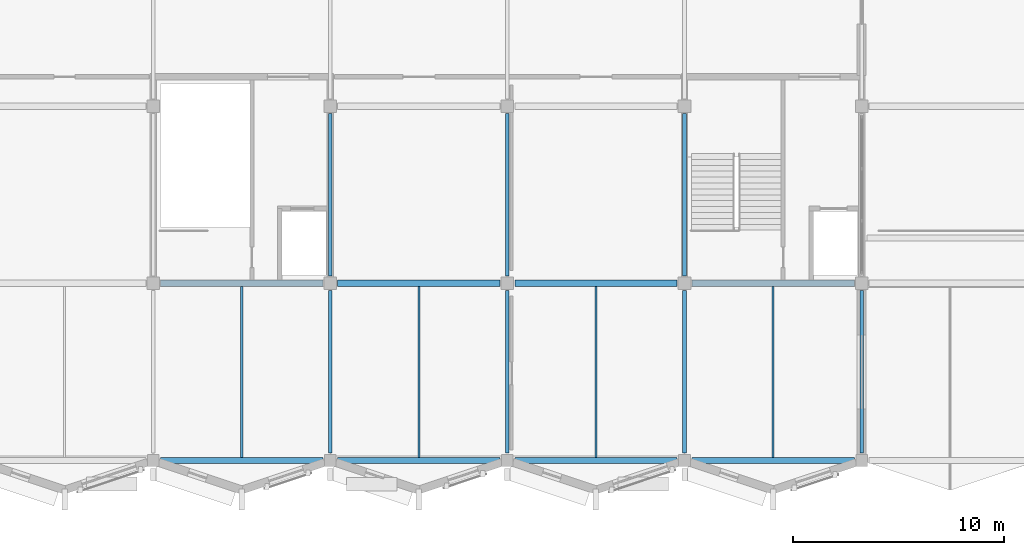
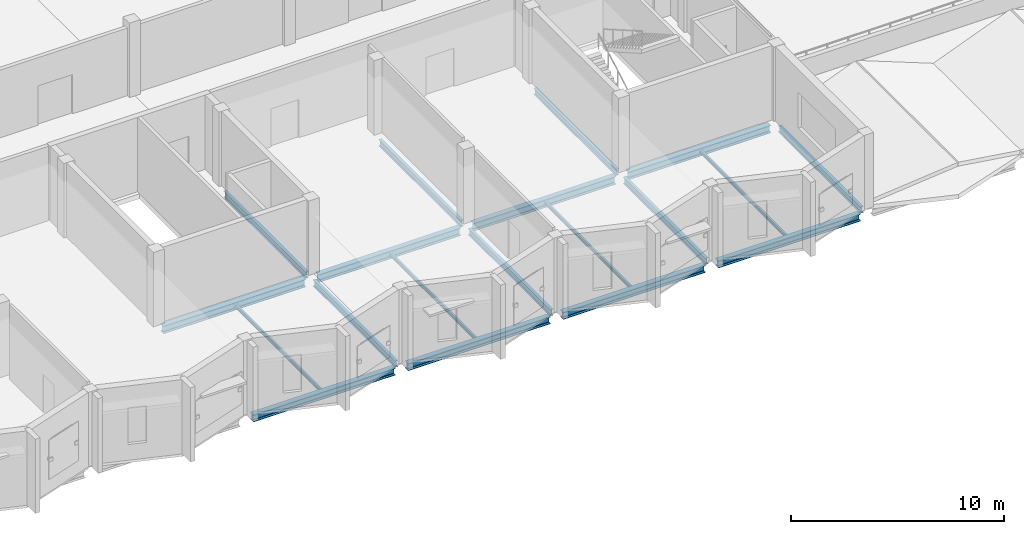
# One storey, part 18 of 81: 19 beams.
"""IFC4 building model written with IfcOpenShell, lengths in metres."""

import ifcopenshell
import ifcopenshell.guid

model = None  # the IFC model being written
_history = None  # IfcOwnerHistory: only IFC2X3 demands one
_inside = {}  # id of a spatial element -> (the spatial element, [elements in it])
_under = {}  # id of a project, library or spatial element -> (it, [spatial elements below it])
_declared = {}  # id of a project -> (the project, [libraries it declares])
_typed = {}  # id of a type object -> (the type object, [elements of that type])
_made_of = {}  # id of a material, layer set ... -> (it, [elements and type objects made of it])


def new_model(schema):
    """Start an empty IFC model of exactly this schema.

    Asked for "IFC4X3", IfcOpenShell would pick the latest addendum, in which some entities
    have other attributes; the version numbers below select the first issue.
    IFC2X3 requires an IfcOwnerHistory on every rooted entity: one is made here for all.
    """
    global model, _history
    if schema == "IFC4X3":
        model = ifcopenshell.file(schema_version=(4, 3, 0, 0))
    else:
        model = ifcopenshell.file(schema=schema)
    _inside.clear()
    _under.clear()
    _declared.clear()
    _typed.clear()
    _made_of.clear()
    _history = None
    if model.schema == "IFC2X3":
        org = make("IfcOrganization", Name="unknown")
        user = make(
            "IfcPersonAndOrganization",
            ThePerson=make("IfcPerson", FamilyName="unknown"),
            TheOrganization=org,
        )
        app = make(
            "IfcApplication",
            ApplicationDeveloper=org,
            Version="unknown",
            ApplicationFullName="unknown",
            ApplicationIdentifier="unknown",
        )
        _history = make(
            "IfcOwnerHistory",
            OwningUser=user,
            OwningApplication=app,
            ChangeAction="ADDED",
            CreationDate=0,
        )
    return model


def make(cls, **values):
    """One entity of the class cls with the attributes given. An attribute that is None is left unset."""
    return model.create_entity(
        cls, **{name: value for name, value in values.items() if value is not None}
    )


def rooted(cls, **values):
    """An entity with a GlobalId (a new one), such as an element, a storey or a relation."""
    return make(cls, GlobalId=ifcopenshell.guid.new(), OwnerHistory=_history, **values)


def si_unit(unit_type, name, prefix=None):
    """IfcSIUnit, for example si_unit("LENGTHUNIT", "METRE", prefix="MILLI")."""
    return make("IfcSIUnit", UnitType=unit_type, Prefix=prefix, Name=name)


def assignment(units):
    """IfcUnitAssignment: the units of a project."""
    return None if units is None else make("IfcUnitAssignment", Units=units)


def point(xyz):
    """IfcCartesianPoint."""
    return None if xyz is None else make("IfcCartesianPoint", Coordinates=xyz)


def direction(xyz):
    """IfcDirection."""
    return None if xyz is None else make("IfcDirection", DirectionRatios=xyz)


def frame(location, z_axis=None, x_axis=None):
    """IfcAxis2Placement3D, a coordinate frame: its origin and axes. An axis left out is left unset."""
    return make(
        "IfcAxis2Placement3D",
        Location=point(location),
        Axis=direction(z_axis),
        RefDirection=direction(x_axis),
    )


def frame_2d(location, x_axis=None):
    """IfcAxis2Placement2D, a coordinate frame in the plane: its origin and x axis."""
    return make(
        "IfcAxis2Placement2D", Location=point(location), RefDirection=direction(x_axis)
    )


def origin():
    """The frame at (0, 0, 0) with its axes left unset."""
    return frame((0.0, 0.0, 0.0))


def origin_2d():
    """The frame at (0, 0) in the plane with its x axis left unset."""
    return frame_2d((0.0, 0.0))


def place(relative_to, where):
    """IfcLocalPlacement: puts the frame where relative to a parent placement (None: the world)."""
    return make(
        "IfcLocalPlacement", PlacementRelTo=relative_to, RelativePlacement=where
    )


def context(
    kind, dimensions, precision=None, world=None, true_north=None, identifier=None
):
    """IfcGeometricRepresentationContext, for example the 3D "Model" context."""
    return make(
        "IfcGeometricRepresentationContext",
        ContextIdentifier=identifier,
        ContextType=kind,
        CoordinateSpaceDimension=dimensions,
        Precision=precision,
        WorldCoordinateSystem=world,
        TrueNorth=true_north,
    )


def subcontext(parent, identifier, kind, view, scale=None):
    """IfcGeometricRepresentationSubContext, for example "Body" below "Model"."""
    return make(
        "IfcGeometricRepresentationSubContext",
        ContextIdentifier=identifier,
        ContextType=kind,
        ParentContext=parent,
        TargetScale=scale,
        TargetView=view,
    )


def project(units=None, contexts=None):
    """IfcProject with its units and contexts."""
    return rooted(
        "IfcProject",
        Name="project",
        RepresentationContexts=contexts,
        UnitsInContext=assignment(units),
    )


def spatial(cls, under=None, at=None, **own):
    """A site, building, storey or space (cls), placed at a placement, below another one or the project."""
    s = rooted(cls, ObjectPlacement=at, **own)
    if under is not None:
        _under.setdefault(under.id(), (under, []))[1].append(s)
    return s


def profile(cls, at=None, kind="AREA", **sizes):
    """A parametric profile (cls). Its sizes go by their IFC names, for example OverallWidth=200.0."""
    return make(cls, ProfileType=kind, Position=at, **sizes)


def i_section(**sizes):
    """IfcIShapeProfileDef."""
    return profile("IfcIShapeProfileDef", **sizes)


def extrude(swept, where, along, depth):
    """IfcExtrudedAreaSolid: the profile swept, set in the frame where, extruded along a direction by depth."""
    return make(
        "IfcExtrudedAreaSolid",
        SweptArea=swept,
        Position=where,
        ExtrudedDirection=direction(along),
        Depth=depth,
    )


def shape(context_of_items, identifier, shape_type, items):
    """IfcShapeRepresentation: the items that make up one representation, for example the "Body"."""
    return make(
        "IfcShapeRepresentation",
        ContextOfItems=context_of_items,
        RepresentationIdentifier=identifier,
        RepresentationType=shape_type,
        Items=items,
    )


def material(Name=None, Category=None):
    """IfcMaterial."""
    return make("IfcMaterial", Name=Name, Category=Category)


def material_profile(
    of_material, cross_section, Name=None, Category=None, Priority=None
):
    """IfcMaterialProfile: a cross section and its material."""
    return make(
        "IfcMaterialProfile",
        Name=Name,
        Material=of_material,
        Profile=cross_section,
        Priority=Priority,
        Category=Category,
    )


def profile_set(profiles, Name=None, composite=None):
    """IfcMaterialProfileSet."""
    return make(
        "IfcMaterialProfileSet",
        Name=Name,
        MaterialProfiles=profiles,
        CompositeProfile=composite,
    )


def made_of(thing, what):
    """Note that an element or type object is made of a material, layer set ...; save() writes the relation."""
    if what is not None:
        _made_of.setdefault(what.id(), (what, []))[1].append(thing)
    return thing


def type_object(cls, material=None, **own):
    """A type object (cls), such as IfcWallType, which elements share."""
    return made_of(rooted(cls, **own), material)


def element(
    cls,
    number,
    at=None,
    inside=None,
    cuts=None,
    type_object=None,
    material=None,
    context=None,
    identifier="Body",
    shape_type=None,
    held_by="IfcProductDefinitionShape",
    body=None,
    shapes=None,
    **own,
):
    """One element of the class cls, such as IfcWall. Its Tag is "e" and its number.

    at: its placement. inside: the storey or other place that contains it. cuts: it is an
    opening in that element (IfcRelVoidsElement). A single representation is given by context,
    identifier, shape_type and body (its items); several are given by shapes. held_by: the class
    of the entity that holds the representations. save() writes the other relations.
    """
    e = rooted(cls, Tag="e%d" % number, ObjectPlacement=at, **own)
    if body is not None:
        shapes = [shape(context, identifier, shape_type, body)]
    if shapes is not None:
        e.Representation = make(held_by, Representations=shapes)
    if inside is not None:
        _inside.setdefault(inside.id(), (inside, []))[1].append(e)
    if cuts is not None:
        rooted(
            "IfcRelVoidsElement", RelatingBuildingElement=cuts, RelatedOpeningElement=e
        )
    if type_object is not None:
        _typed.setdefault(type_object.id(), (type_object, []))[1].append(e)
    return made_of(e, material)


def aggregate(whole, parts):
    """IfcRelAggregates: a whole, such as a stair, and the parts it consists of."""
    return rooted("IfcRelAggregates", RelatingObject=whole, RelatedObjects=parts)


def save(model, path):
    """Write the relations noted so far, then the file.

    IfcRelAggregates (storeys below a building ...), IfcRelContainedInSpatialStructure (elements
    in a storey), IfcRelDefinesByType, IfcRelAssociatesMaterial and IfcRelDeclares: one each for
    every whole, place, type object, material and project.
    """
    for whole, parts in _under.values():
        aggregate(whole, parts)
    for where, things in _inside.values():
        rooted(
            "IfcRelContainedInSpatialStructure",
            RelatedElements=things,
            RelatingStructure=where,
        )
    for kind, things in _typed.values():
        rooted("IfcRelDefinesByType", RelatedObjects=things, RelatingType=kind)
    for what, things in _made_of.values():
        rooted("IfcRelAssociatesMaterial", RelatedObjects=things, RelatingMaterial=what)
    for by, libraries in _declared.values():
        rooted("IfcRelDeclares", RelatingContext=by, RelatedDefinitions=libraries)
    model.write(path)


model = new_model("IFC4")

# Units and contexts
model_context = context("Model", 3, precision=1e-05, world=origin(), true_north=direction((0.0, 1.0)))
body_context = subcontext(model_context, "Body", "Model", "MODEL_VIEW")
ifc_project = project(units=[si_unit("LENGTHUNIT", "METRE"), si_unit("AREAUNIT", "SQUARE_METRE"), si_unit("VOLUMEUNIT", "CUBIC_METRE"), si_unit("PLANEANGLEUNIT", "RADIAN"), si_unit("MASSUNIT", "GRAM", prefix="KILO")], contexts=[model_context])

# Site, building, storey
site_placement = place(None, origin())
site = spatial("IfcSite", under=ifc_project, at=site_placement, CompositionType="ELEMENT")
building_placement = place(site_placement, origin())
building = spatial("IfcBuilding", under=site, at=building_placement, Name="Qawsi Khor Wholesale Market", CompositionType="ELEMENT")
storey_placement = place(building_placement, frame((0.0, 0.0, 16.199951171875)))
storey = spatial("IfcBuildingStorey", under=building, at=storey_placement, Name="L03", CompositionType="ELEMENT", Elevation=16.199951171875)

# Beams
ifc_material = material(Name="Steel S355", Category="steel")
ifc_material_profile_1 = material_profile(ifc_material, i_section(OverallWidth=0.300048828125, OverallDepth=0.39990234375, WebThickness=0.013427734375, FlangeThickness=0.02392578125, FilletRadius=0.027099609375, at=origin_2d()), Name="HEB 400")
ifc_profile_set_1 = profile_set([ifc_material_profile_1], Name="Steel S355")
beam_type_1 = type_object("IfcBeamType", Name="Heavy Edge Girder HEB 400", PredefinedType="BEAM", material=ifc_profile_set_1)
beam_1_placement = place(storey_placement, frame((92.75, 0.0, -0.47998046875), z_axis=(1.0, 0.0, 0.0), x_axis=(0.0, 1.0, 0.0)))
element("IfcBeam", 1, at=beam_1_placement, inside=storey, type_object=beam_type_1, Name="BM-X-L03-11_+00", PredefinedType="BEAM", context=body_context, shape_type="SweptSolid", body=[
    extrude(i_section(OverallWidth=0.300048828125, OverallDepth=0.39990234375, WebThickness=0.013427734375, FlangeThickness=0.02392578125, FilletRadius=0.027099609375, at=origin_2d()), origin(), (0.0, 0.0, 1.0), 7.699951171875),
])
beam_2_placement = place(storey_placement, frame((101.14990234375, 0.0, -0.47998046875), z_axis=(1.0, 0.0, 0.0), x_axis=(0.0, 1.0, 0.0)))
element("IfcBeam", 2, at=beam_2_placement, inside=storey, type_object=beam_type_1, Name="BM-X-L03-12_+00", PredefinedType="BEAM", context=body_context, shape_type="SweptSolid", body=[
    extrude(i_section(OverallWidth=0.300048828125, OverallDepth=0.39990234375, WebThickness=0.013427734375, FlangeThickness=0.02392578125, FilletRadius=0.027099609375, at=origin_2d()), origin(), (0.0, 0.0, 1.0), 7.7001953125),
])
for number, where, z_axis, x_axis, name in (
    (3, (109.550048828125, 0.0, -0.47998046875), (1.0, 0.0, 0.0), (0.0, 1.0, 0.0), "BM-X-L03-13_+00"),
    (4, (117.949951171875, 0.0, -0.47998046875), (1.0, 0.0, 0.0), (0.0, 1.0, 0.0), "BM-X-L03-14_+00"),
):
    element("IfcBeam", number, at=place(storey_placement, frame(where, z_axis=z_axis, x_axis=x_axis)), inside=storey, type_object=beam_type_1, Name=name, PredefinedType="BEAM", context=body_context, shape_type="SweptSolid", body=[
        extrude(i_section(OverallWidth=0.300048828125, OverallDepth=0.39990234375, WebThickness=0.013427734375, FlangeThickness=0.02392578125, FilletRadius=0.027099609375, at=origin_2d()), origin(), (0.0, 0.0, 1.0), 7.699951171875),
    ])
ifc_material_profile_2 = material_profile(ifc_material, i_section(OverallWidth=0.300048828125, OverallDepth=0.43994140625, WebThickness=0.011474609375, FlangeThickness=0.02099609375, FilletRadius=0.027099609375, at=origin_2d()), Name="HEA 450")
ifc_profile_set_2 = profile_set([ifc_material_profile_2], Name="Steel S355")
beam_type_2 = type_object("IfcBeamType", Name="Primary Girder HEA 450", PredefinedType="BEAM", material=ifc_profile_set_2)
beam_3_placement = place(storey_placement, frame((92.75, 8.39990234375, -0.5), z_axis=(1.0, 0.0, 0.0), x_axis=(0.0, 1.0, 0.0)))
element("IfcBeam", 5, at=beam_3_placement, inside=storey, type_object=beam_type_2, Name="BM-X-L03-11_+01", PredefinedType="BEAM", context=body_context, shape_type="SweptSolid", body=[
    extrude(i_section(OverallWidth=0.300048828125, OverallDepth=0.43994140625, WebThickness=0.011474609375, FlangeThickness=0.02099609375, FilletRadius=0.027099609375, at=origin_2d()), origin(), (0.0, 0.0, 1.0), 7.699951171875),
])
beam_4_placement = place(storey_placement, frame((101.14990234375, 8.39990234375, -0.5), z_axis=(1.0, 0.0, 0.0), x_axis=(0.0, 1.0, 0.0)))
element("IfcBeam", 6, at=beam_4_placement, inside=storey, type_object=beam_type_2, Name="BM-X-L03-12_+01", PredefinedType="BEAM", context=body_context, shape_type="SweptSolid", body=[
    extrude(i_section(OverallWidth=0.300048828125, OverallDepth=0.43994140625, WebThickness=0.011474609375, FlangeThickness=0.02099609375, FilletRadius=0.027099609375, at=origin_2d()), origin(), (0.0, 0.0, 1.0), 7.7001953125),
])
for number, where, z_axis, x_axis, name in (
    (7, (109.550048828125, 8.39990234375, -0.5), (1.0, 0.0, 0.0), (0.0, 1.0, 0.0), "BM-X-L03-13_+01"),
    (8, (117.949951171875, 8.39990234375, -0.5), (1.0, 0.0, 0.0), (0.0, 1.0, 0.0), "BM-X-L03-14_+01"),
):
    element("IfcBeam", number, at=place(storey_placement, frame(where, z_axis=z_axis, x_axis=x_axis)), inside=storey, type_object=beam_type_2, Name=name, PredefinedType="BEAM", context=body_context, shape_type="SweptSolid", body=[
        extrude(i_section(OverallWidth=0.300048828125, OverallDepth=0.43994140625, WebThickness=0.011474609375, FlangeThickness=0.02099609375, FilletRadius=0.027099609375, at=origin_2d()), origin(), (0.0, 0.0, 1.0), 7.699951171875),
    ])
ifc_material_profile_3 = material_profile(ifc_material, i_section(OverallWidth=0.10009765625, OverallDepth=0.199951171875, WebThickness=0.005615234375, FlangeThickness=0.008544921875, FilletRadius=0.011962890625, at=origin_2d()), Name="IPE 200")
ifc_profile_set_3 = profile_set([ifc_material_profile_3], Name="Steel S355")
beam_type_3 = type_object("IfcBeamType", Name="Roof Deck Joist IPE 200", PredefinedType="JOIST", material=ifc_profile_set_3)
for number, where, z_axis, x_axis, name in (
    (9, (96.60009765625, 0.14990234375, -0.3798828125), (0.0, 1.0, 0.0), (-1.0, 0.0, 0.0), "JST-S-L03-11"),
    (10, (105.0, 0.14990234375, -0.3798828125), (0.0, 1.0, 0.0), (-1.0, 0.0, 0.0), "JST-S-L03-12"),
    (11, (113.39990234375, 0.14990234375, -0.3798828125), (0.0, 1.0, 0.0), (-1.0, 0.0, 0.0), "JST-S-L03-13"),
    (12, (121.800048828125, 0.14990234375, -0.3798828125), (0.0, 1.0, 0.0), (-1.0, 0.0, 0.0), "JST-S-L03-14"),
):
    element("IfcBeam", number, at=place(storey_placement, frame(where, z_axis=z_axis, x_axis=x_axis)), inside=storey, type_object=beam_type_3, Name=name, PredefinedType="JOIST", context=body_context, shape_type="SweptSolid", body=[
        extrude(i_section(OverallWidth=0.10009765625, OverallDepth=0.199951171875, WebThickness=0.005615234375, FlangeThickness=0.008544921875, FilletRadius=0.011962890625, at=origin_2d()), origin(), (0.0, 0.0, 1.0), 8.10009765625),
    ])
ifc_material_profile_4 = material_profile(ifc_material, i_section(OverallWidth=0.169921875, OverallDepth=0.360107421875, WebThickness=0.008056640625, FlangeThickness=0.0126953125, FilletRadius=0.01806640625, at=origin_2d()), Name="IPE 360")
ifc_profile_set_4 = profile_set([ifc_material_profile_4], Name="Steel S355")
beam_type_4 = type_object("IfcBeamType", Name="Secondary Beam IPE 360", PredefinedType="BEAM", material=ifc_profile_set_4)
for number, where, z_axis, x_axis, name in (
    (13, (100.800048828125, 0.35009765625, -0.4599609375), (0.0, 1.0, 0.0), (-1.0, 0.0, 0.0), "BM-Y-L03-12_+00"),
    (14, (100.800048828125, 8.75, -0.4599609375), (0.0, 1.0, 0.0), (-1.0, 0.0, 0.0), "BM-Y-L03-12_+01"),
    (15, (109.199951171875, 0.35009765625, -0.4599609375), (0.0, 1.0, 0.0), (-1.0, 0.0, 0.0), "BM-Y-L03-13_+00"),
    (16, (109.199951171875, 8.75, -0.4599609375), (0.0, 1.0, 0.0), (-1.0, 0.0, 0.0), "BM-Y-L03-13_+01"),
    (17, (117.60009765625, 0.35009765625, -0.4599609375), (0.0, 1.0, 0.0), (-1.0, 0.0, 0.0), "BM-Y-L03-14_+00"),
    (18, (117.60009765625, 8.75, -0.4599609375), (0.0, 1.0, 0.0), (-1.0, 0.0, 0.0), "BM-Y-L03-14_+01"),
    (19, (126.0, 0.35009765625, -0.4599609375), (0.0, 1.0, 0.0), (-1.0, 0.0, 0.0), "BM-Y-L03-15_+00"),
):
    element("IfcBeam", number, at=place(storey_placement, frame(where, z_axis=z_axis, x_axis=x_axis)), inside=storey, type_object=beam_type_4, Name=name, PredefinedType="BEAM", context=body_context, shape_type="SweptSolid", body=[
        extrude(i_section(OverallWidth=0.169921875, OverallDepth=0.360107421875, WebThickness=0.008056640625, FlangeThickness=0.0126953125, FilletRadius=0.01806640625, at=origin_2d()), origin(), (0.0, 0.0, 1.0), 7.699951171875),
    ])

save(model, "model.ifc")
